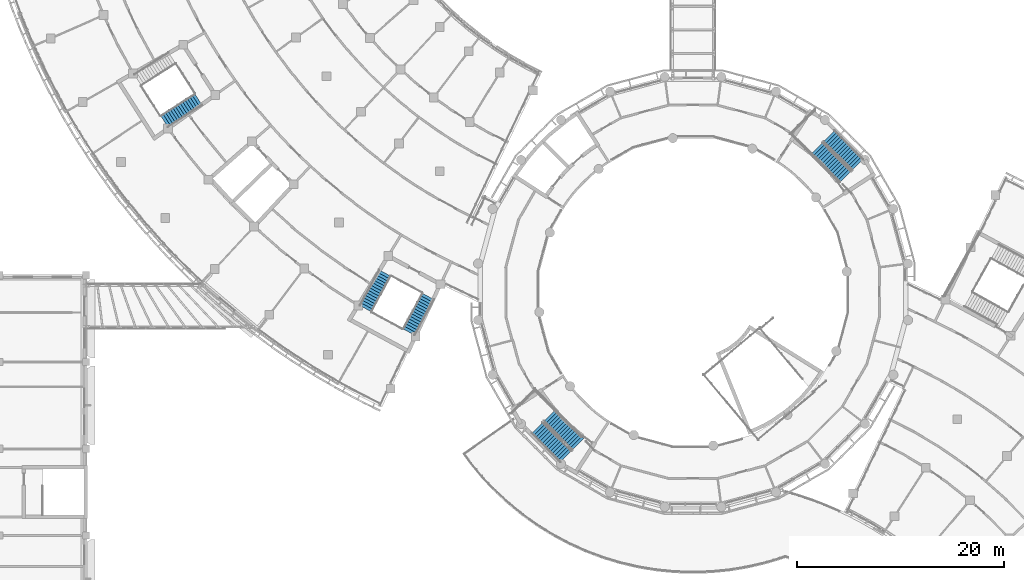
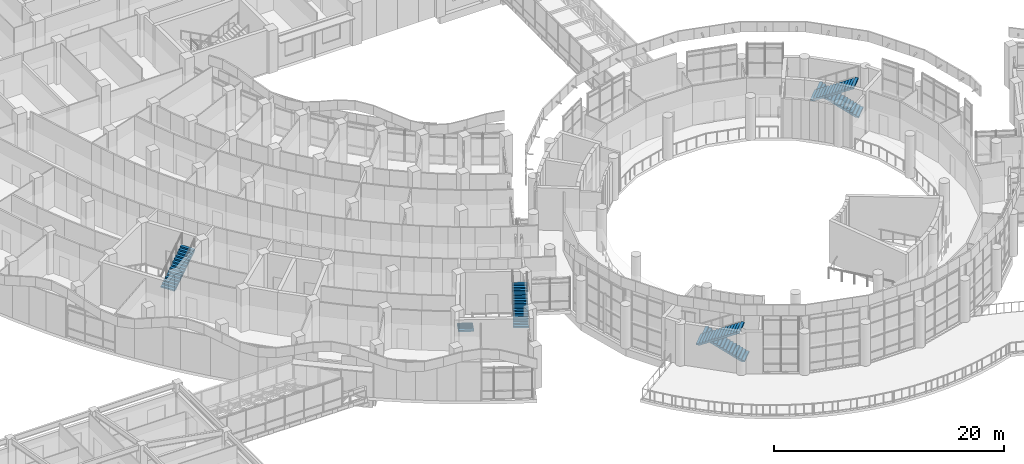
# One storey, part 93 of 136: 7 stair flights, 4 elements without a shape of their own.
"""IFC4 building model written with IfcOpenShell, lengths in metres."""

from ifc_helpers import new_model, si_unit, direction, frame, origin, place, context, subcontext, project, spatial, polyline, outline, extrude, material, type_object, element, aggregate, save


model = new_model("IFC4")

# Units and contexts
model_context = context("Model", 3, precision=1e-05, world=origin(), true_north=direction((0.0, 1.0)))
body_context = subcontext(model_context, "Body", "Model", "MODEL_VIEW")
ifc_project = project(units=[si_unit("LENGTHUNIT", "METRE"), si_unit("AREAUNIT", "SQUARE_METRE"), si_unit("VOLUMEUNIT", "CUBIC_METRE"), si_unit("PLANEANGLEUNIT", "RADIAN"), si_unit("MASSUNIT", "GRAM", prefix="KILO")], contexts=[model_context])

# Site, building, storey
site_placement = place(None, origin())
site = spatial("IfcSite", under=ifc_project, at=site_placement, CompositionType="ELEMENT")
building_placement = place(site_placement, origin())
building = spatial("IfcBuilding", under=site, at=building_placement, Name="Bougainvillea Quay General Hospital", CompositionType="ELEMENT")
storey_placement = place(building_placement, frame((0.0, 0.0, 5.39990234375)))
storey = spatial("IfcBuildingStorey", under=building, at=storey_placement, Name="L01", CompositionType="ELEMENT", Elevation=5.39990234375)

# Stair, stair flights
ifc_material = material(Name="Concrete C35", Category="concrete")
stair_type_1 = type_object("IfcStairType", Name="Stair half-turn 1350 wide", PredefinedType="HALF_TURN_STAIR", material=ifc_material)
stair_1_placement = place(storey_placement, origin())
stair_1 = element("IfcStair", 1, at=stair_1_placement, inside=storey, type_object=stair_type_1, Name="L01 stair ST-W1", PredefinedType="HALF_TURN_STAIR")
stair_flight_type_1 = type_object("IfcStairFlightType", Name="Stair flight 1350", PredefinedType="STRAIGHT", material=ifc_material)
stair_flight_1_placement = place(storey_placement, frame((79.350830078125, 75.82470703125, 0.0), z_axis=(0.0, 0.0, 1.0), x_axis=(-0.475725718378, -0.879593679419, 0.0)))
stair_flight_1 = element("IfcStairFlight", 2, at=stair_flight_1_placement, type_object=stair_flight_type_1, Name="ST-W1 flight 1", NumberOfRisers=15, NumberOfTreads=14, PredefinedType="STRAIGHT", RiserHeight=0.15, TreadLength=0.28, context=body_context, shape_type="SweptSolid", body=[
    extrude(outline(polyline([(-0.0029296875, 0.0), (-0.0029296875, 0.003662109375), (-0.0029296875, 0.00732421875), (-0.0029296875, 0.010986328125), (-0.0029296875, 0.0146484375), (-0.0029296875, 0.018310546875), (-0.0029296875, 0.02197265625), (-0.0029296875, 0.025634765625), (-0.0029296875, 0.029296875), (-0.0029296875, 0.032958984375), (-0.0029296875, 0.03662109375), (-0.0029296875, 0.040283203125), (-0.0029296875, 0.0439453125), (-0.0029296875, 0.047607421875), (-0.0029296875, 0.05126953125), (-0.0029296875, 0.054931640625), (-0.0029296875, 0.05859375), (-0.0029296875, 0.062255859375), (-0.0029296875, 0.06591796875), (-0.0029296875, 0.069580078125), (-0.0029296875, 0.0732421875), (-0.0029296875, 0.076904296875), (-0.0029296875, 0.08056640625), (-0.0029296875, 0.084228515625), (-0.0029296875, 0.087890625), (-0.0029296875, 0.091552734375), (-0.0029296875, 0.09521484375), (-0.0029296875, 0.098876953125), (-0.0029296875, 0.1025390625), (-0.0029296875, 0.106201171875), (-0.0029296875, 0.10986328125), (-0.0029296875, 0.113525390625), (-0.0029296875, 0.1171875), (-0.0029296875, 0.120849609375), (-0.0029296875, 0.12451171875), (-0.0029296875, 0.1279296875), (-0.0029296875, 0.131591796875), (-0.0029296875, 0.13525390625), (-0.0029296875, 0.138916015625), (-0.0029296875, 0.142578125), (-0.0029296875, 0.146240234375), (-0.0029296875, 0.14990234375), (0.280029296875, 0.14990234375), (0.280029296875, 0.300048828125), (0.56005859375, 0.300048828125), (0.56005859375, 0.449951171875), (0.840087890625, 0.449951171875), (0.840087890625, 0.60009765625), (1.1201171875, 0.60009765625), (1.1201171875, 0.75), (1.39990234375, 0.75), (1.39990234375, 0.89990234375), (1.679931640625, 0.89990234375), (1.679931640625, 1.050048828125), (1.9599609375, 1.050048828125), (1.9599609375, 1.199951171875), (2.239990234375, 1.199951171875), (2.239990234375, 1.35009765625), (2.52001953125, 1.35009765625), (2.52001953125, 1.5), (2.800048828125, 1.5), (2.800048828125, 1.64990234375), (3.080078125, 1.64990234375), (3.080078125, 1.800048828125), (3.360107421875, 1.800048828125), (3.360107421875, 1.949951171875), (3.639892578125, 1.949951171875), (3.639892578125, 2.10009765625), (3.923095703125, 2.10009765625), (3.923095703125, 2.095947265625), (3.923095703125, 2.091796875), (3.923095703125, 2.087646484375), (3.923095703125, 2.08349609375), (3.923095703125, 2.079345703125), (3.923095703125, 2.0751953125), (3.923095703125, 2.071044921875), (3.923095703125, 2.06689453125), (3.923095703125, 2.062744140625), (3.923095703125, 2.05859375), (3.923095703125, 2.054443359375), (3.923095703125, 2.05029296875), (3.923095703125, 2.046142578125), (3.923095703125, 2.0419921875), (3.923095703125, 2.037841796875), (3.923095703125, 2.03369140625), (3.923095703125, 2.029541015625), (3.923095703125, 2.025390625), (3.923095703125, 2.021240234375), (3.923095703125, 2.01708984375), (3.923095703125, 2.012939453125), (3.923095703125, 2.0087890625), (3.923095703125, 2.004638671875), (3.923095703125, 2.00048828125), (3.923095703125, 1.996337890625), (3.923095703125, 1.9921875), (3.923095703125, 1.988037109375), (3.923095703125, 1.98388671875), (3.923095703125, 1.979736328125), (3.923095703125, 1.9755859375), (3.923095703125, 1.971435546875), (3.923095703125, 1.96728515625), (3.923095703125, 1.963134765625), (3.923095703125, 1.958984375), (3.923095703125, 1.954833984375), (3.923095703125, 1.95068359375), (3.923095703125, 1.946533203125), (3.923095703125, 1.9423828125), (3.923095703125, 1.938232421875), (3.923095703125, 1.93408203125), (3.923095703125, 1.929931640625), (0.3173828125, 0.0), (-0.0029296875, 0.0)])), frame((0.0, 0.675048828125, 0.0), z_axis=(0.0, -1.0, 0.0), x_axis=(1.0, 0.0, 0.0)), (0.0, 0.0, 1.0), 1.35009765625),
])
stair_flight_2_placement = place(storey_placement, frame((81.68310546875, 70.106689453125, 2.25), z_axis=(0.0, 0.0, 1.0), x_axis=(0.475725718378, 0.879593679419, 0.0)))
stair_flight_2 = element("IfcStairFlight", 3, at=stair_flight_2_placement, type_object=stair_flight_type_1, Name="ST-W1 flight 2", NumberOfRisers=15, NumberOfTreads=14, PredefinedType="STRAIGHT", RiserHeight=0.15, TreadLength=0.28, context=body_context, shape_type="SweptSolid", body=[
    extrude(outline(polyline([(-0.0029296875, 0.0), (-0.0029296875, 0.003662109375), (-0.0029296875, 0.00732421875), (-0.0029296875, 0.010986328125), (-0.0029296875, 0.0146484375), (-0.0029296875, 0.018310546875), (-0.0029296875, 0.02197265625), (-0.0029296875, 0.025634765625), (-0.0029296875, 0.029296875), (-0.0029296875, 0.032958984375), (-0.0029296875, 0.03662109375), (-0.0029296875, 0.040283203125), (-0.0029296875, 0.0439453125), (-0.0029296875, 0.047607421875), (-0.0029296875, 0.05126953125), (-0.0029296875, 0.054931640625), (-0.0029296875, 0.05859375), (-0.0029296875, 0.062255859375), (-0.0029296875, 0.06591796875), (-0.0029296875, 0.069580078125), (-0.0029296875, 0.0732421875), (-0.0029296875, 0.076904296875), (-0.0029296875, 0.08056640625), (-0.0029296875, 0.084228515625), (-0.0029296875, 0.087890625), (-0.0029296875, 0.091552734375), (-0.0029296875, 0.09521484375), (-0.0029296875, 0.098876953125), (-0.0029296875, 0.1025390625), (-0.0029296875, 0.106201171875), (-0.0029296875, 0.10986328125), (-0.0029296875, 0.113525390625), (-0.0029296875, 0.1171875), (-0.0029296875, 0.120849609375), (-0.0029296875, 0.12451171875), (-0.0029296875, 0.1279296875), (-0.0029296875, 0.131591796875), (-0.0029296875, 0.13525390625), (-0.0029296875, 0.138916015625), (-0.0029296875, 0.142578125), (-0.0029296875, 0.146240234375), (-0.0029296875, 0.14990234375), (0.280029296875, 0.14990234375), (0.280029296875, 0.300048828125), (0.56005859375, 0.300048828125), (0.56005859375, 0.449951171875), (0.840087890625, 0.449951171875), (0.840087890625, 0.60009765625), (1.1201171875, 0.60009765625), (1.1201171875, 0.75), (1.39990234375, 0.75), (1.39990234375, 0.89990234375), (1.679931640625, 0.89990234375), (1.679931640625, 1.050048828125), (1.9599609375, 1.050048828125), (1.9599609375, 1.199951171875), (2.239990234375, 1.199951171875), (2.239990234375, 1.35009765625), (2.52001953125, 1.35009765625), (2.52001953125, 1.5), (2.800048828125, 1.5), (2.800048828125, 1.64990234375), (3.080078125, 1.64990234375), (3.080078125, 1.800048828125), (3.360107421875, 1.800048828125), (3.360107421875, 1.949951171875), (3.639892578125, 1.949951171875), (3.639892578125, 2.10009765625), (3.923095703125, 2.10009765625), (3.923095703125, 2.095947265625), (3.923095703125, 2.091796875), (3.923095703125, 2.087646484375), (3.923095703125, 2.08349609375), (3.923095703125, 2.079345703125), (3.923095703125, 2.0751953125), (3.923095703125, 2.071044921875), (3.923095703125, 2.06689453125), (3.923095703125, 2.062744140625), (3.923095703125, 2.05859375), (3.923095703125, 2.054443359375), (3.923095703125, 2.05029296875), (3.923095703125, 2.046142578125), (3.923095703125, 2.0419921875), (3.923095703125, 2.037841796875), (3.923095703125, 2.03369140625), (3.923095703125, 2.029541015625), (3.923095703125, 2.025390625), (3.923095703125, 2.021240234375), (3.923095703125, 2.01708984375), (3.923095703125, 2.012939453125), (3.923095703125, 2.0087890625), (3.923095703125, 2.004638671875), (3.923095703125, 2.00048828125), (3.923095703125, 1.996337890625), (3.923095703125, 1.9921875), (3.923095703125, 1.988037109375), (3.923095703125, 1.98388671875), (3.923095703125, 1.979736328125), (3.923095703125, 1.9755859375), (3.923095703125, 1.971435546875), (3.923095703125, 1.96728515625), (3.923095703125, 1.963134765625), (3.923095703125, 1.958984375), (3.923095703125, 1.954833984375), (3.923095703125, 1.95068359375), (3.923095703125, 1.946533203125), (3.923095703125, 1.9423828125), (3.923095703125, 1.938232421875), (3.923095703125, 1.93408203125), (3.923095703125, 1.929931640625), (0.3173828125, 0.0), (-0.0029296875, 0.0)])), frame((0.0, 0.675048828125, 0.0), z_axis=(0.0, -1.0, 0.0), x_axis=(1.0, 0.0, 0.0)), (0.0, 0.0, 1.0), 1.35009765625),
])
aggregate(stair_1, [stair_flight_1, stair_flight_2])

# Stair, stair flight
stair_2_placement = place(storey_placement, origin())
stair_2 = element("IfcStair", 4, at=stair_2_placement, inside=storey, type_object=stair_type_1, Name="L01 stair ST-W2", PredefinedType="HALF_TURN_STAIR")
stair_flight_3_placement = place(storey_placement, frame((57.9990234375, 90.50830078125, 2.25), z_axis=(0.0, 0.0, 1.0), x_axis=(0.842999170031, 0.537914862526, 0.0)))
stair_flight_3 = element("IfcStairFlight", 5, at=stair_flight_3_placement, type_object=stair_flight_type_1, Name="ST-W2 flight 2", NumberOfRisers=15, NumberOfTreads=14, PredefinedType="STRAIGHT", RiserHeight=0.15, TreadLength=0.28, context=body_context, shape_type="SweptSolid", body=[
    extrude(outline(polyline([(-0.0029296875, 0.0), (-0.0029296875, 0.003662109375), (-0.0029296875, 0.00732421875), (-0.0029296875, 0.010986328125), (-0.0029296875, 0.0146484375), (-0.0029296875, 0.018310546875), (-0.0029296875, 0.02197265625), (-0.0029296875, 0.025634765625), (-0.0029296875, 0.029296875), (-0.0029296875, 0.032958984375), (-0.0029296875, 0.03662109375), (-0.0029296875, 0.040283203125), (-0.0029296875, 0.0439453125), (-0.0029296875, 0.047607421875), (-0.0029296875, 0.05126953125), (-0.0029296875, 0.054931640625), (-0.0029296875, 0.05859375), (-0.0029296875, 0.062255859375), (-0.0029296875, 0.06591796875), (-0.0029296875, 0.069580078125), (-0.0029296875, 0.0732421875), (-0.0029296875, 0.076904296875), (-0.0029296875, 0.08056640625), (-0.0029296875, 0.084228515625), (-0.0029296875, 0.087890625), (-0.0029296875, 0.091552734375), (-0.0029296875, 0.09521484375), (-0.0029296875, 0.098876953125), (-0.0029296875, 0.1025390625), (-0.0029296875, 0.106201171875), (-0.0029296875, 0.10986328125), (-0.0029296875, 0.113525390625), (-0.0029296875, 0.1171875), (-0.0029296875, 0.120849609375), (-0.0029296875, 0.12451171875), (-0.0029296875, 0.1279296875), (-0.0029296875, 0.131591796875), (-0.0029296875, 0.13525390625), (-0.0029296875, 0.138916015625), (-0.0029296875, 0.142578125), (-0.0029296875, 0.146240234375), (-0.0029296875, 0.14990234375), (0.280029296875, 0.14990234375), (0.280029296875, 0.300048828125), (0.56005859375, 0.300048828125), (0.56005859375, 0.449951171875), (0.840087890625, 0.449951171875), (0.840087890625, 0.60009765625), (1.1201171875, 0.60009765625), (1.1201171875, 0.75), (1.39990234375, 0.75), (1.39990234375, 0.89990234375), (1.679931640625, 0.89990234375), (1.679931640625, 1.050048828125), (1.9599609375, 1.050048828125), (1.9599609375, 1.199951171875), (2.239990234375, 1.199951171875), (2.239990234375, 1.35009765625), (2.52001953125, 1.35009765625), (2.52001953125, 1.5), (2.800048828125, 1.5), (2.800048828125, 1.64990234375), (3.080078125, 1.64990234375), (3.080078125, 1.800048828125), (3.360107421875, 1.800048828125), (3.360107421875, 1.949951171875), (3.639892578125, 1.949951171875), (3.639892578125, 2.10009765625), (3.923095703125, 2.10009765625), (3.923095703125, 2.095947265625), (3.923095703125, 2.091796875), (3.923095703125, 2.087646484375), (3.923095703125, 2.08349609375), (3.923095703125, 2.079345703125), (3.923095703125, 2.0751953125), (3.923095703125, 2.071044921875), (3.923095703125, 2.06689453125), (3.923095703125, 2.062744140625), (3.923095703125, 2.05859375), (3.923095703125, 2.054443359375), (3.923095703125, 2.05029296875), (3.923095703125, 2.046142578125), (3.923095703125, 2.0419921875), (3.923095703125, 2.037841796875), (3.923095703125, 2.03369140625), (3.923095703125, 2.029541015625), (3.923095703125, 2.025390625), (3.923095703125, 2.021240234375), (3.923095703125, 2.01708984375), (3.923095703125, 2.012939453125), (3.923095703125, 2.0087890625), (3.923095703125, 2.004638671875), (3.923095703125, 2.00048828125), (3.923095703125, 1.996337890625), (3.923095703125, 1.9921875), (3.923095703125, 1.988037109375), (3.923095703125, 1.98388671875), (3.923095703125, 1.979736328125), (3.923095703125, 1.9755859375), (3.923095703125, 1.971435546875), (3.923095703125, 1.96728515625), (3.923095703125, 1.963134765625), (3.923095703125, 1.958984375), (3.923095703125, 1.954833984375), (3.923095703125, 1.95068359375), (3.923095703125, 1.946533203125), (3.923095703125, 1.9423828125), (3.923095703125, 1.938232421875), (3.923095703125, 1.93408203125), (3.923095703125, 1.929931640625), (0.3173828125, 0.0), (-0.0029296875, 0.0)])), frame((0.0, 0.675048828125, 0.0), z_axis=(0.0, -1.0, 0.0), x_axis=(1.0, 0.0, 0.0)), (0.0, 0.0, 1.0), 1.35009765625),
])
aggregate(stair_2, [stair_flight_3])

# Stair, stair flights
stair_type_2 = type_object("IfcStairType", Name="Stair half-turn 1563 wide", PredefinedType="HALF_TURN_STAIR", material=ifc_material)
stair_3_placement = place(storey_placement, origin())
stair_3 = element("IfcStair", 6, at=stair_3_placement, inside=storey, type_object=stair_type_2, Name="L01 stair ST-H1", PredefinedType="HALF_TURN_STAIR")
stair_flight_type_2 = type_object("IfcStairFlightType", Name="Stair flight 1563", PredefinedType="STRAIGHT", material=ifc_material)
stair_flight_4_placement = place(storey_placement, frame((125.146728515625, 86.318115234375, 0.0), z_axis=(0.0, 0.0, 1.0), x_axis=(-0.707106781187, 0.707106781187, 0.0)))
stair_flight_4 = element("IfcStairFlight", 7, at=stair_flight_4_placement, type_object=stair_flight_type_2, Name="ST-H1 flight 1", NumberOfRisers=15, NumberOfTreads=14, PredefinedType="STRAIGHT", RiserHeight=0.15, TreadLength=0.28, context=body_context, shape_type="SweptSolid", body=[
    extrude(outline(polyline([(-0.0029296875, 0.0), (-0.0029296875, 0.003662109375), (-0.0029296875, 0.00732421875), (-0.0029296875, 0.010986328125), (-0.0029296875, 0.0146484375), (-0.0029296875, 0.018310546875), (-0.0029296875, 0.02197265625), (-0.0029296875, 0.025634765625), (-0.0029296875, 0.029296875), (-0.0029296875, 0.032958984375), (-0.0029296875, 0.03662109375), (-0.0029296875, 0.040283203125), (-0.0029296875, 0.0439453125), (-0.0029296875, 0.047607421875), (-0.0029296875, 0.05126953125), (-0.0029296875, 0.054931640625), (-0.0029296875, 0.05859375), (-0.0029296875, 0.062255859375), (-0.0029296875, 0.06591796875), (-0.0029296875, 0.069580078125), (-0.0029296875, 0.0732421875), (-0.0029296875, 0.076904296875), (-0.0029296875, 0.08056640625), (-0.0029296875, 0.084228515625), (-0.0029296875, 0.087890625), (-0.0029296875, 0.091552734375), (-0.0029296875, 0.09521484375), (-0.0029296875, 0.098876953125), (-0.0029296875, 0.1025390625), (-0.0029296875, 0.106201171875), (-0.0029296875, 0.10986328125), (-0.0029296875, 0.113525390625), (-0.0029296875, 0.1171875), (-0.0029296875, 0.120849609375), (-0.0029296875, 0.12451171875), (-0.0029296875, 0.1279296875), (-0.0029296875, 0.131591796875), (-0.0029296875, 0.13525390625), (-0.0029296875, 0.138916015625), (-0.0029296875, 0.142578125), (-0.0029296875, 0.146240234375), (-0.0029296875, 0.14990234375), (0.280029296875, 0.14990234375), (0.280029296875, 0.300048828125), (0.56005859375, 0.300048828125), (0.56005859375, 0.449951171875), (0.840087890625, 0.449951171875), (0.840087890625, 0.60009765625), (1.1201171875, 0.60009765625), (1.1201171875, 0.75), (1.39990234375, 0.75), (1.39990234375, 0.89990234375), (1.679931640625, 0.89990234375), (1.679931640625, 1.050048828125), (1.9599609375, 1.050048828125), (1.9599609375, 1.199951171875), (2.239990234375, 1.199951171875), (2.239990234375, 1.35009765625), (2.52001953125, 1.35009765625), (2.52001953125, 1.5), (2.800048828125, 1.5), (2.800048828125, 1.64990234375), (3.080078125, 1.64990234375), (3.080078125, 1.800048828125), (3.360107421875, 1.800048828125), (3.360107421875, 1.949951171875), (3.639892578125, 1.949951171875), (3.639892578125, 2.10009765625), (3.923095703125, 2.10009765625), (3.923095703125, 2.095947265625), (3.923095703125, 2.091796875), (3.923095703125, 2.087646484375), (3.923095703125, 2.08349609375), (3.923095703125, 2.079345703125), (3.923095703125, 2.0751953125), (3.923095703125, 2.071044921875), (3.923095703125, 2.06689453125), (3.923095703125, 2.062744140625), (3.923095703125, 2.05859375), (3.923095703125, 2.054443359375), (3.923095703125, 2.05029296875), (3.923095703125, 2.046142578125), (3.923095703125, 2.0419921875), (3.923095703125, 2.037841796875), (3.923095703125, 2.03369140625), (3.923095703125, 2.029541015625), (3.923095703125, 2.025390625), (3.923095703125, 2.021240234375), (3.923095703125, 2.01708984375), (3.923095703125, 2.012939453125), (3.923095703125, 2.0087890625), (3.923095703125, 2.004638671875), (3.923095703125, 2.00048828125), (3.923095703125, 1.996337890625), (3.923095703125, 1.9921875), (3.923095703125, 1.988037109375), (3.923095703125, 1.98388671875), (3.923095703125, 1.979736328125), (3.923095703125, 1.9755859375), (3.923095703125, 1.971435546875), (3.923095703125, 1.96728515625), (3.923095703125, 1.963134765625), (3.923095703125, 1.958984375), (3.923095703125, 1.954833984375), (3.923095703125, 1.95068359375), (3.923095703125, 1.946533203125), (3.923095703125, 1.9423828125), (3.923095703125, 1.938232421875), (3.923095703125, 1.93408203125), (3.923095703125, 1.929931640625), (0.3173828125, 0.0), (-0.0029296875, 0.0)])), frame((0.0, 0.781494140625, 0.0), z_axis=(0.0, -1.0, 0.0), x_axis=(1.0, 0.0, 0.0)), (0.0, 0.0, 1.0), 1.56298828125),
])
stair_flight_5_placement = place(storey_placement, frame((121.198974609375, 87.9140625, 2.25), z_axis=(0.0, 0.0, 1.0), x_axis=(0.707106781187, -0.707106781187, 0.0)))
stair_flight_5 = element("IfcStairFlight", 8, at=stair_flight_5_placement, type_object=stair_flight_type_2, Name="ST-H1 flight 2", NumberOfRisers=15, NumberOfTreads=14, PredefinedType="STRAIGHT", RiserHeight=0.15, TreadLength=0.28, context=body_context, shape_type="SweptSolid", body=[
    extrude(outline(polyline([(-0.0029296875, 0.0), (-0.0029296875, 0.003662109375), (-0.0029296875, 0.00732421875), (-0.0029296875, 0.010986328125), (-0.0029296875, 0.0146484375), (-0.0029296875, 0.018310546875), (-0.0029296875, 0.02197265625), (-0.0029296875, 0.025634765625), (-0.0029296875, 0.029296875), (-0.0029296875, 0.032958984375), (-0.0029296875, 0.03662109375), (-0.0029296875, 0.040283203125), (-0.0029296875, 0.0439453125), (-0.0029296875, 0.047607421875), (-0.0029296875, 0.05126953125), (-0.0029296875, 0.054931640625), (-0.0029296875, 0.05859375), (-0.0029296875, 0.062255859375), (-0.0029296875, 0.06591796875), (-0.0029296875, 0.069580078125), (-0.0029296875, 0.0732421875), (-0.0029296875, 0.076904296875), (-0.0029296875, 0.08056640625), (-0.0029296875, 0.084228515625), (-0.0029296875, 0.087890625), (-0.0029296875, 0.091552734375), (-0.0029296875, 0.09521484375), (-0.0029296875, 0.098876953125), (-0.0029296875, 0.1025390625), (-0.0029296875, 0.106201171875), (-0.0029296875, 0.10986328125), (-0.0029296875, 0.113525390625), (-0.0029296875, 0.1171875), (-0.0029296875, 0.120849609375), (-0.0029296875, 0.12451171875), (-0.0029296875, 0.1279296875), (-0.0029296875, 0.131591796875), (-0.0029296875, 0.13525390625), (-0.0029296875, 0.138916015625), (-0.0029296875, 0.142578125), (-0.0029296875, 0.146240234375), (-0.0029296875, 0.14990234375), (0.280029296875, 0.14990234375), (0.280029296875, 0.300048828125), (0.56005859375, 0.300048828125), (0.56005859375, 0.449951171875), (0.840087890625, 0.449951171875), (0.840087890625, 0.60009765625), (1.1201171875, 0.60009765625), (1.1201171875, 0.75), (1.39990234375, 0.75), (1.39990234375, 0.89990234375), (1.679931640625, 0.89990234375), (1.679931640625, 1.050048828125), (1.9599609375, 1.050048828125), (1.9599609375, 1.199951171875), (2.239990234375, 1.199951171875), (2.239990234375, 1.35009765625), (2.52001953125, 1.35009765625), (2.52001953125, 1.5), (2.800048828125, 1.5), (2.800048828125, 1.64990234375), (3.080078125, 1.64990234375), (3.080078125, 1.800048828125), (3.360107421875, 1.800048828125), (3.360107421875, 1.949951171875), (3.639892578125, 1.949951171875), (3.639892578125, 2.10009765625), (3.923095703125, 2.10009765625), (3.923095703125, 2.095947265625), (3.923095703125, 2.091796875), (3.923095703125, 2.087646484375), (3.923095703125, 2.08349609375), (3.923095703125, 2.079345703125), (3.923095703125, 2.0751953125), (3.923095703125, 2.071044921875), (3.923095703125, 2.06689453125), (3.923095703125, 2.062744140625), (3.923095703125, 2.05859375), (3.923095703125, 2.054443359375), (3.923095703125, 2.05029296875), (3.923095703125, 2.046142578125), (3.923095703125, 2.0419921875), (3.923095703125, 2.037841796875), (3.923095703125, 2.03369140625), (3.923095703125, 2.029541015625), (3.923095703125, 2.025390625), (3.923095703125, 2.021240234375), (3.923095703125, 2.01708984375), (3.923095703125, 2.012939453125), (3.923095703125, 2.0087890625), (3.923095703125, 2.004638671875), (3.923095703125, 2.00048828125), (3.923095703125, 1.996337890625), (3.923095703125, 1.9921875), (3.923095703125, 1.988037109375), (3.923095703125, 1.98388671875), (3.923095703125, 1.979736328125), (3.923095703125, 1.9755859375), (3.923095703125, 1.971435546875), (3.923095703125, 1.96728515625), (3.923095703125, 1.963134765625), (3.923095703125, 1.958984375), (3.923095703125, 1.954833984375), (3.923095703125, 1.95068359375), (3.923095703125, 1.946533203125), (3.923095703125, 1.9423828125), (3.923095703125, 1.938232421875), (3.923095703125, 1.93408203125), (3.923095703125, 1.929931640625), (0.3173828125, 0.0), (-0.0029296875, 0.0)])), frame((0.0, 0.781494140625, 0.0), z_axis=(0.0, -1.0, 0.0), x_axis=(1.0, 0.0, 0.0)), (0.0, 0.0, 1.0), 1.56298828125),
])
aggregate(stair_3, [stair_flight_4, stair_flight_5])

stair_4_placement = place(storey_placement, origin())
stair_4 = element("IfcStair", 9, at=stair_4_placement, inside=storey, type_object=stair_type_2, Name="L01 stair ST-H2", PredefinedType="HALF_TURN_STAIR")
stair_flight_6_placement = place(storey_placement, frame((98.057861328125, 59.229248046875, 0.0), z_axis=(0.0, 0.0, 1.0), x_axis=(-0.707106781187, 0.707106781187, 0.0)))
stair_flight_6 = element("IfcStairFlight", 10, at=stair_flight_6_placement, type_object=stair_flight_type_2, Name="ST-H2 flight 1", NumberOfRisers=15, NumberOfTreads=14, PredefinedType="STRAIGHT", RiserHeight=0.15, TreadLength=0.28, context=body_context, shape_type="SweptSolid", body=[
    extrude(outline(polyline([(-0.0029296875, 0.0), (-0.0029296875, 0.003662109375), (-0.0029296875, 0.00732421875), (-0.0029296875, 0.010986328125), (-0.0029296875, 0.0146484375), (-0.0029296875, 0.018310546875), (-0.0029296875, 0.02197265625), (-0.0029296875, 0.025634765625), (-0.0029296875, 0.029296875), (-0.0029296875, 0.032958984375), (-0.0029296875, 0.03662109375), (-0.0029296875, 0.040283203125), (-0.0029296875, 0.0439453125), (-0.0029296875, 0.047607421875), (-0.0029296875, 0.05126953125), (-0.0029296875, 0.054931640625), (-0.0029296875, 0.05859375), (-0.0029296875, 0.062255859375), (-0.0029296875, 0.06591796875), (-0.0029296875, 0.069580078125), (-0.0029296875, 0.0732421875), (-0.0029296875, 0.076904296875), (-0.0029296875, 0.08056640625), (-0.0029296875, 0.084228515625), (-0.0029296875, 0.087890625), (-0.0029296875, 0.091552734375), (-0.0029296875, 0.09521484375), (-0.0029296875, 0.098876953125), (-0.0029296875, 0.1025390625), (-0.0029296875, 0.106201171875), (-0.0029296875, 0.10986328125), (-0.0029296875, 0.113525390625), (-0.0029296875, 0.1171875), (-0.0029296875, 0.120849609375), (-0.0029296875, 0.12451171875), (-0.0029296875, 0.1279296875), (-0.0029296875, 0.131591796875), (-0.0029296875, 0.13525390625), (-0.0029296875, 0.138916015625), (-0.0029296875, 0.142578125), (-0.0029296875, 0.146240234375), (-0.0029296875, 0.14990234375), (0.280029296875, 0.14990234375), (0.280029296875, 0.300048828125), (0.56005859375, 0.300048828125), (0.56005859375, 0.449951171875), (0.840087890625, 0.449951171875), (0.840087890625, 0.60009765625), (1.1201171875, 0.60009765625), (1.1201171875, 0.75), (1.39990234375, 0.75), (1.39990234375, 0.89990234375), (1.679931640625, 0.89990234375), (1.679931640625, 1.050048828125), (1.9599609375, 1.050048828125), (1.9599609375, 1.199951171875), (2.239990234375, 1.199951171875), (2.239990234375, 1.35009765625), (2.52001953125, 1.35009765625), (2.52001953125, 1.5), (2.800048828125, 1.5), (2.800048828125, 1.64990234375), (3.080078125, 1.64990234375), (3.080078125, 1.800048828125), (3.360107421875, 1.800048828125), (3.360107421875, 1.949951171875), (3.639892578125, 1.949951171875), (3.639892578125, 2.10009765625), (3.923095703125, 2.10009765625), (3.923095703125, 2.095947265625), (3.923095703125, 2.091796875), (3.923095703125, 2.087646484375), (3.923095703125, 2.08349609375), (3.923095703125, 2.079345703125), (3.923095703125, 2.0751953125), (3.923095703125, 2.071044921875), (3.923095703125, 2.06689453125), (3.923095703125, 2.062744140625), (3.923095703125, 2.05859375), (3.923095703125, 2.054443359375), (3.923095703125, 2.05029296875), (3.923095703125, 2.046142578125), (3.923095703125, 2.0419921875), (3.923095703125, 2.037841796875), (3.923095703125, 2.03369140625), (3.923095703125, 2.029541015625), (3.923095703125, 2.025390625), (3.923095703125, 2.021240234375), (3.923095703125, 2.01708984375), (3.923095703125, 2.012939453125), (3.923095703125, 2.0087890625), (3.923095703125, 2.004638671875), (3.923095703125, 2.00048828125), (3.923095703125, 1.996337890625), (3.923095703125, 1.9921875), (3.923095703125, 1.988037109375), (3.923095703125, 1.98388671875), (3.923095703125, 1.979736328125), (3.923095703125, 1.9755859375), (3.923095703125, 1.971435546875), (3.923095703125, 1.96728515625), (3.923095703125, 1.963134765625), (3.923095703125, 1.958984375), (3.923095703125, 1.954833984375), (3.923095703125, 1.95068359375), (3.923095703125, 1.946533203125), (3.923095703125, 1.9423828125), (3.923095703125, 1.938232421875), (3.923095703125, 1.93408203125), (3.923095703125, 1.929931640625), (0.3173828125, 0.0), (-0.0029296875, 0.0)])), frame((0.0, 0.781494140625, 0.0), z_axis=(0.0, -1.0, 0.0), x_axis=(1.0, 0.0, 0.0)), (0.0, 0.0, 1.0), 1.56298828125),
])
stair_flight_7_placement = place(storey_placement, frame((94.110107421875, 60.8251953125, 2.25), z_axis=(0.0, 0.0, 1.0), x_axis=(0.707106781187, -0.707106781187, 0.0)))
stair_flight_7 = element("IfcStairFlight", 11, at=stair_flight_7_placement, type_object=stair_flight_type_2, Name="ST-H2 flight 2", NumberOfRisers=15, NumberOfTreads=14, PredefinedType="STRAIGHT", RiserHeight=0.15, TreadLength=0.28, context=body_context, shape_type="SweptSolid", body=[
    extrude(outline(polyline([(-0.0029296875, 0.0), (-0.0029296875, 0.003662109375), (-0.0029296875, 0.00732421875), (-0.0029296875, 0.010986328125), (-0.0029296875, 0.0146484375), (-0.0029296875, 0.018310546875), (-0.0029296875, 0.02197265625), (-0.0029296875, 0.025634765625), (-0.0029296875, 0.029296875), (-0.0029296875, 0.032958984375), (-0.0029296875, 0.03662109375), (-0.0029296875, 0.040283203125), (-0.0029296875, 0.0439453125), (-0.0029296875, 0.047607421875), (-0.0029296875, 0.05126953125), (-0.0029296875, 0.054931640625), (-0.0029296875, 0.05859375), (-0.0029296875, 0.062255859375), (-0.0029296875, 0.06591796875), (-0.0029296875, 0.069580078125), (-0.0029296875, 0.0732421875), (-0.0029296875, 0.076904296875), (-0.0029296875, 0.08056640625), (-0.0029296875, 0.084228515625), (-0.0029296875, 0.087890625), (-0.0029296875, 0.091552734375), (-0.0029296875, 0.09521484375), (-0.0029296875, 0.098876953125), (-0.0029296875, 0.1025390625), (-0.0029296875, 0.106201171875), (-0.0029296875, 0.10986328125), (-0.0029296875, 0.113525390625), (-0.0029296875, 0.1171875), (-0.0029296875, 0.120849609375), (-0.0029296875, 0.12451171875), (-0.0029296875, 0.1279296875), (-0.0029296875, 0.131591796875), (-0.0029296875, 0.13525390625), (-0.0029296875, 0.138916015625), (-0.0029296875, 0.142578125), (-0.0029296875, 0.146240234375), (-0.0029296875, 0.14990234375), (0.280029296875, 0.14990234375), (0.280029296875, 0.300048828125), (0.56005859375, 0.300048828125), (0.56005859375, 0.449951171875), (0.840087890625, 0.449951171875), (0.840087890625, 0.60009765625), (1.1201171875, 0.60009765625), (1.1201171875, 0.75), (1.39990234375, 0.75), (1.39990234375, 0.89990234375), (1.679931640625, 0.89990234375), (1.679931640625, 1.050048828125), (1.9599609375, 1.050048828125), (1.9599609375, 1.199951171875), (2.239990234375, 1.199951171875), (2.239990234375, 1.35009765625), (2.52001953125, 1.35009765625), (2.52001953125, 1.5), (2.800048828125, 1.5), (2.800048828125, 1.64990234375), (3.080078125, 1.64990234375), (3.080078125, 1.800048828125), (3.360107421875, 1.800048828125), (3.360107421875, 1.949951171875), (3.639892578125, 1.949951171875), (3.639892578125, 2.10009765625), (3.923095703125, 2.10009765625), (3.923095703125, 2.095947265625), (3.923095703125, 2.091796875), (3.923095703125, 2.087646484375), (3.923095703125, 2.08349609375), (3.923095703125, 2.079345703125), (3.923095703125, 2.0751953125), (3.923095703125, 2.071044921875), (3.923095703125, 2.06689453125), (3.923095703125, 2.062744140625), (3.923095703125, 2.05859375), (3.923095703125, 2.054443359375), (3.923095703125, 2.05029296875), (3.923095703125, 2.046142578125), (3.923095703125, 2.0419921875), (3.923095703125, 2.037841796875), (3.923095703125, 2.03369140625), (3.923095703125, 2.029541015625), (3.923095703125, 2.025390625), (3.923095703125, 2.021240234375), (3.923095703125, 2.01708984375), (3.923095703125, 2.012939453125), (3.923095703125, 2.0087890625), (3.923095703125, 2.004638671875), (3.923095703125, 2.00048828125), (3.923095703125, 1.996337890625), (3.923095703125, 1.9921875), (3.923095703125, 1.988037109375), (3.923095703125, 1.98388671875), (3.923095703125, 1.979736328125), (3.923095703125, 1.9755859375), (3.923095703125, 1.971435546875), (3.923095703125, 1.96728515625), (3.923095703125, 1.963134765625), (3.923095703125, 1.958984375), (3.923095703125, 1.954833984375), (3.923095703125, 1.95068359375), (3.923095703125, 1.946533203125), (3.923095703125, 1.9423828125), (3.923095703125, 1.938232421875), (3.923095703125, 1.93408203125), (3.923095703125, 1.929931640625), (0.3173828125, 0.0), (-0.0029296875, 0.0)])), frame((0.0, 0.781494140625, 0.0), z_axis=(0.0, -1.0, 0.0), x_axis=(1.0, 0.0, 0.0)), (0.0, 0.0, 1.0), 1.56298828125),
])
aggregate(stair_4, [stair_flight_6, stair_flight_7])

save(model, "model.ifc")
